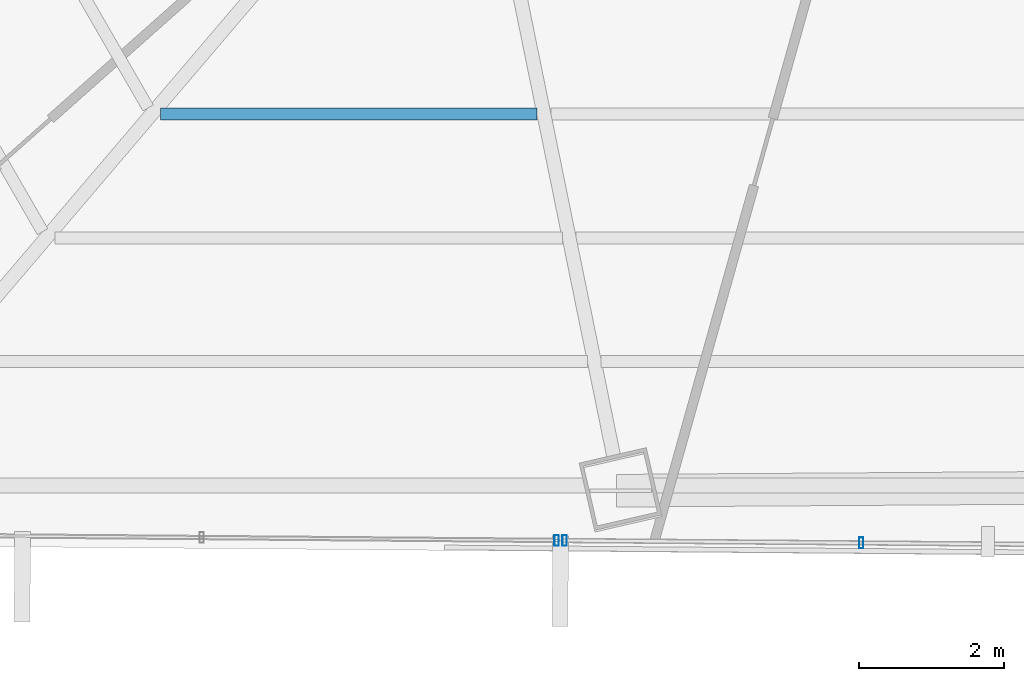
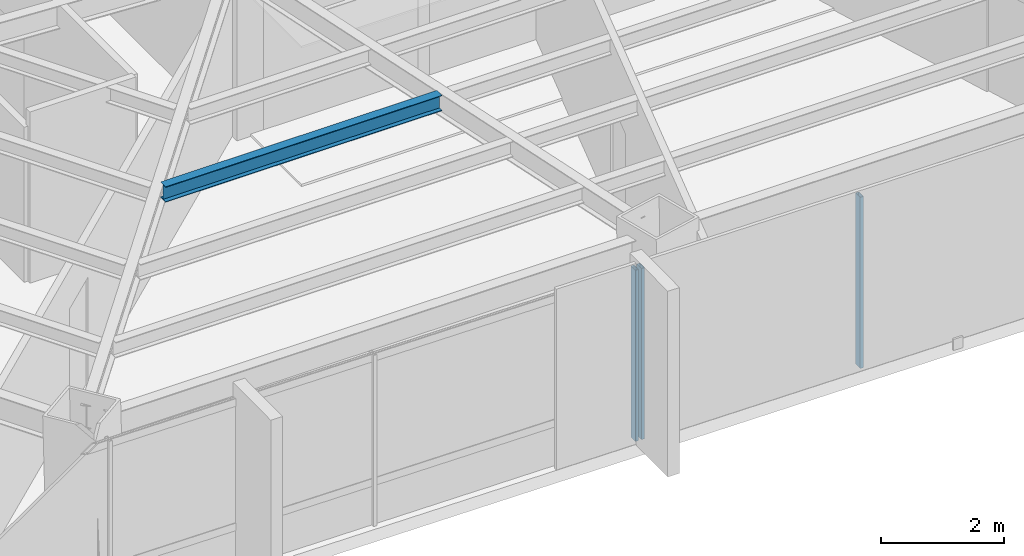
# One storey, part 8 of 39: 3 members, 1 beam, 2 elements without a shape of their own.
"""IFC4 building model written with IfcOpenShell, lengths in metres."""

from ifc_helpers import new_model, si_unit, direction, frame, origin, origin_2d, place, context, subcontext, project, spatial, hollow_rectangle, i_section, extrude, source, transform, mapped, material, material_profile, profile_set, type_object, type_shapes, element, aggregate, save


model = new_model("IFC4")

# Units and contexts
model_context = context("Model", 3, precision=1e-05, world=origin(), true_north=direction((0.0, 1.0)))
body_context = subcontext(model_context, "Body", "Model", "MODEL_VIEW")
ifc_project = project(units=[si_unit("LENGTHUNIT", "METRE"), si_unit("AREAUNIT", "SQUARE_METRE"), si_unit("VOLUMEUNIT", "CUBIC_METRE"), si_unit("PLANEANGLEUNIT", "RADIAN"), si_unit("MASSUNIT", "GRAM", prefix="KILO")], contexts=[model_context])

# Site, building, storey
site_placement = place(None, origin())
site = spatial("IfcSite", under=ifc_project, at=site_placement, CompositionType="ELEMENT")
building_placement = place(site_placement, origin())
building = spatial("IfcBuilding", under=site, at=building_placement, Name="Caelisora Broadcast Tower", CompositionType="ELEMENT")
storey_placement = place(building_placement, frame((0.0, 0.0, 142.75)))
storey = spatial("IfcBuildingStorey", under=building, at=storey_placement, Name="L37", CompositionType="ELEMENT", Elevation=142.75)

# Beam
ifc_material_1 = material(Name="Steel Grade 350 (AS/NZS 3679.1)", Category="steel")
ifc_material_profile_1 = material_profile(ifc_material_1, i_section(OverallWidth=0.166015625, OverallDepth=0.30712890625, WebThickness=0.006591796875, FlangeThickness=0.01171875, at=origin_2d()), Name="Steel Grade 350 (AS/NZS 3679.1)")
ifc_profile_set_1 = profile_set([ifc_material_profile_1], Name="Steel Grade 350 (AS/NZS 3679.1)")
beam_type = type_object("IfcBeamType", Name="SB03", PredefinedType="JOIST", material=ifc_profile_set_1)
shared_shape_1 = source(origin(), body_context, "Body", "SweptSolid", [
    extrude(i_section(OverallWidth=0.166015625, OverallDepth=0.30712890625, WebThickness=0.006591796875, FlangeThickness=0.01171875, at=origin_2d()), origin(), (0.0, 0.0, 1.0), 5.19384765625),
])
type_shapes(beam_type, [shared_shape_1])
beam_placement = place(storey_placement, frame((26.25634765625, 12.276611328125, 3.246337890625), z_axis=(1.0, 0.0, 0.0), x_axis=(0.0, 1.0, 0.0)))
element("IfcBeam", 1, at=beam_placement, inside=storey, type_object=beam_type, Name="L37 beam SB03", PredefinedType="JOIST", context=body_context, shape_type="MappedRepresentation", body=[
    mapped(shared_shape_1, transform((0.0, 0.0, 0.0), scale=1.0)),
])

# Curtain wall, members
ifc_material_2 = material(Name="Unitised Aluminium Insulated Shadow-Box Spandrel Curtain Wall", Category="aluminium")
curtain_wall_type_1 = type_object("IfcCurtainWallType", Name="CW-SP2", PredefinedType="NOTDEFINED", material=ifc_material_2)
curtain_wall_1_placement = place(storey_placement, origin())
curtain_wall_1 = element("IfcCurtainWall", 2, at=curtain_wall_1_placement, inside=storey, type_object=curtain_wall_type_1, Name="L37 curtain wall CW-SP2", PredefinedType="NOTDEFINED")
ifc_material_3 = material(Name="Aluminium 6063-T6 Anodised Terracotta Bronze", Category="aluminium")
ifc_material_profile_2 = material_profile(ifc_material_3, hollow_rectangle(XDim=0.06005859375, YDim=0.14990234375, WallThickness=0.00341796875, at=origin_2d()), Name="Aluminium 6063-T6 Anodised Terracotta Bronze")
ifc_profile_set_2 = profile_set([ifc_material_profile_2], Name="Aluminium 6063-T6 Anodised Terracotta Bronze")
member_type = type_object("IfcMemberType", Name="CWM-03", PredefinedType="MULLION", material=ifc_profile_set_2)
shared_shape_2 = source(origin(), body_context, "Body", "SweptSolid", [
    extrude(hollow_rectangle(XDim=0.06005859375, YDim=0.14990234375, WallThickness=0.00341796875, at=origin_2d()), origin(), (0.0, 0.0, 1.0), 3.39990234375),
])
type_shapes(member_type, [shared_shape_2])
member_1_placement = place(storey_placement, frame((35.922607421875, 6.3603515625, 0.0), z_axis=(0.0, 0.0, 1.0), x_axis=(1.0, 0.0, 0.0)))
member_1 = element("IfcMember", 3, at=member_1_placement, type_object=member_type, Name="L37-CW-B06 mullion #2", PredefinedType="MULLION", context=body_context, shape_type="MappedRepresentation", body=[
    mapped(shared_shape_2, transform((0.0, 0.0, 0.0), scale=1.0)),
])
member_2_placement = place(storey_placement, frame((31.829833984375, 6.393798828125, 0.0), z_axis=(0.0, 0.0, 1.0), x_axis=(1.0, 0.0, 0.0)))
member_2 = element("IfcMember", 4, at=member_2_placement, type_object=member_type, Name="L37-CW-B06 mullion #3", PredefinedType="MULLION", context=body_context, shape_type="MappedRepresentation", body=[
    mapped(shared_shape_2, transform((0.0, 0.0, 0.0), scale=1.0)),
])
aggregate(curtain_wall_1, [member_1, member_2])

# Curtain wall, member
ifc_material_4 = material(Name="Unitised Aluminium and Low-E Glass Curtain Wall", Category="glass")
curtain_wall_type_2 = type_object("IfcCurtainWallType", Name="CW-Z3", PredefinedType="NOTDEFINED", material=ifc_material_4)
curtain_wall_2_placement = place(storey_placement, origin())
curtain_wall_2 = element("IfcCurtainWall", 5, at=curtain_wall_2_placement, inside=storey, type_object=curtain_wall_type_2, Name="L37 curtain wall CW-Z3", PredefinedType="NOTDEFINED")
member_3_placement = place(storey_placement, frame((31.719970703125, 6.394775390625, 0.0), z_axis=(0.0, 0.0, 1.0), x_axis=(1.0, 0.0, 0.0)))
member_3 = element("IfcMember", 6, at=member_3_placement, type_object=member_type, Name="L37-CW-B07 mullion #0", PredefinedType="MULLION", context=body_context, shape_type="MappedRepresentation", body=[
    mapped(shared_shape_2, transform((0.0, 0.0, 0.0), scale=1.0)),
])
aggregate(curtain_wall_2, [member_3])

save(model, "model.ifc")
